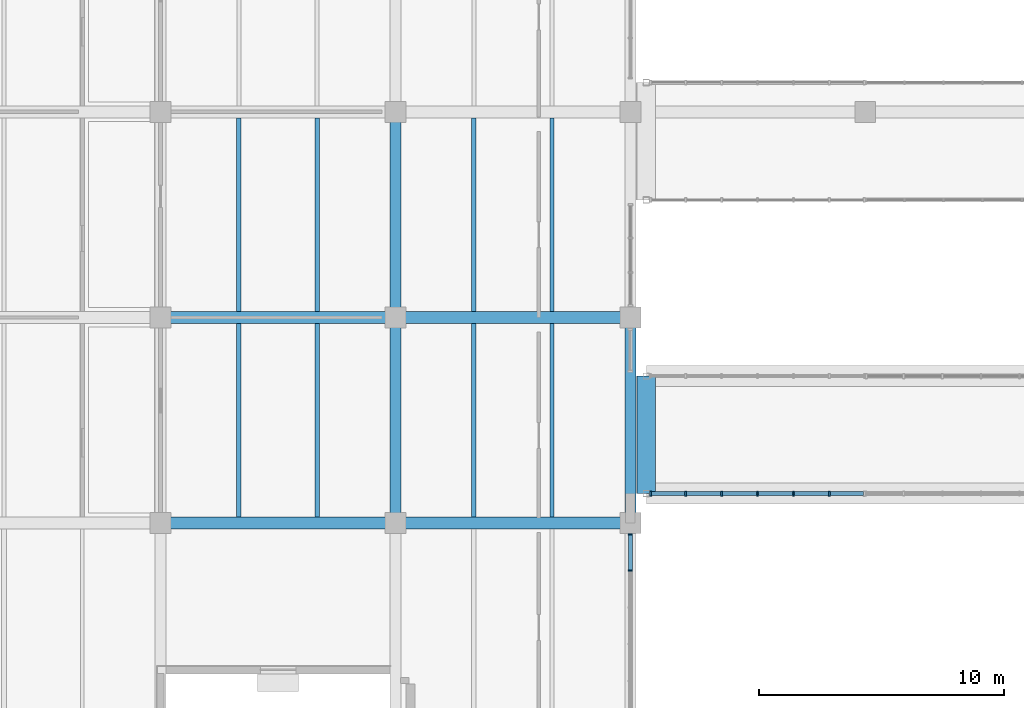
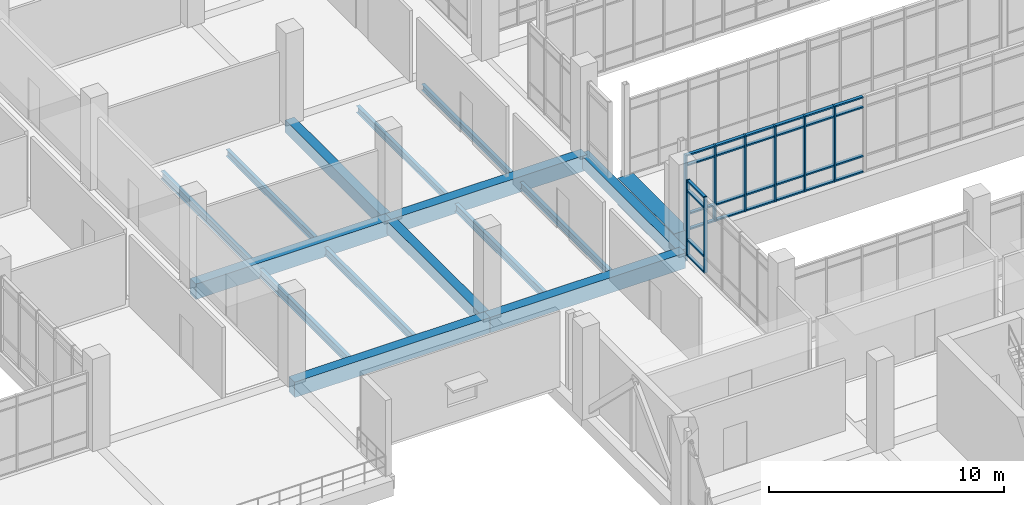
# One storey, part 48 of 152: 36 members, 16 beams, 2 elements without a shape of their own.
"""IFC4 building model written with IfcOpenShell, lengths in metres."""

from ifc_helpers import new_model, si_unit, direction, frame, origin, origin_2d, place, context, subcontext, project, spatial, rectangle, i_section, extrude, material, material_profile, profile_set, type_object, element, aggregate, save


model = new_model("IFC4")

# Units and contexts
model_context = context("Model", 3, precision=1e-05, world=origin(), true_north=direction((0.0, 1.0)))
body_context = subcontext(model_context, "Body", "Model", "MODEL_VIEW")
ifc_project = project(units=[si_unit("LENGTHUNIT", "METRE"), si_unit("AREAUNIT", "SQUARE_METRE"), si_unit("VOLUMEUNIT", "CUBIC_METRE"), si_unit("PLANEANGLEUNIT", "RADIAN"), si_unit("MASSUNIT", "GRAM", prefix="KILO")], contexts=[model_context])

# Site, building, storey
site_placement = place(None, origin())
site = spatial("IfcSite", under=ifc_project, at=site_placement, CompositionType="ELEMENT")
building_placement = place(site_placement, origin())
building = spatial("IfcBuilding", under=site, at=building_placement, Name="Oolite Switchyard Hospital", CompositionType="ELEMENT")
storey_placement = place(building_placement, frame((0.0, 0.0, 5.10009765625)))
storey = spatial("IfcBuildingStorey", under=building, at=storey_placement, Name="L01", CompositionType="ELEMENT", Elevation=5.10009765625)

# Beams
ifc_material_1 = material(Name="Concrete C40/50", Category="concrete")
ifc_material_profile_1 = material_profile(ifc_material_1, rectangle(XDim=0.449951171875, YDim=0.64990234375, at=origin_2d()), Name="RCB450X650")
ifc_profile_set_1 = profile_set([ifc_material_profile_1], Name="Concrete C40/50")
beam_type_1 = type_object("IfcBeamType", Name="BM-RC450X650", PredefinedType="BEAM", material=ifc_profile_set_1)
for number, where, z_axis, x_axis, name in (
    (1, (134.39990234375, 33.60009765625, -0.3251953125), (0.0, 1.0, 0.0), (-1.0, 0.0, 0.0), "L01 Y-Girder 447"),
    (2, (134.39990234375, 42.0, -0.3251953125), (0.0, 1.0, 0.0), (-1.0, 0.0, 0.0), "L01 Y-Girder 448"),
    (3, (144.0, 33.60009765625, -0.3251953125), (0.0, 1.0, 0.0), (-1.0, 0.0, 0.0), "L01 Y-Girder 462"),
):
    element("IfcBeam", number, at=place(storey_placement, frame(where, z_axis=z_axis, x_axis=x_axis)), inside=storey, type_object=beam_type_1, Name=name, PredefinedType="BEAM", context=body_context, shape_type="SweptSolid", body=[
        extrude(rectangle(XDim=0.449951171875, YDim=0.64990234375, at=origin_2d()), origin(), (0.0, 0.0, 1.0), 8.39990234375),
    ])
ifc_material_profile_2 = material_profile(ifc_material_1, rectangle(XDim=0.5, YDim=0.800048828125, at=origin_2d()), Name="RCB500X800")
ifc_profile_set_2 = profile_set([ifc_material_profile_2], Name="Concrete C40/50")
beam_type_2 = type_object("IfcBeamType", Name="BM-RC500X800", PredefinedType="BEAM", material=ifc_profile_set_2)
beam_1_placement = place(storey_placement, frame((124.800048828125, 33.60009765625, -0.400146484375), z_axis=(1.0, 0.0, 0.0), x_axis=(0.0, 1.0, 0.0)))
element("IfcBeam", 4, at=beam_1_placement, inside=storey, type_object=beam_type_2, Name="L01 X-Girder 75", PredefinedType="BEAM", context=body_context, shape_type="SweptSolid", body=[
    extrude(rectangle(XDim=0.5, YDim=0.800048828125, at=origin_2d()), origin(), (0.0, 0.0, 1.0), 9.599853515625),
])
beam_2_placement = place(storey_placement, frame((134.39990234375, 33.60009765625, -0.400146484375), z_axis=(1.0, 0.0, 0.0), x_axis=(0.0, 1.0, 0.0)))
element("IfcBeam", 5, at=beam_2_placement, inside=storey, type_object=beam_type_2, Name="L01 X-Girder 76", PredefinedType="BEAM", context=body_context, shape_type="SweptSolid", body=[
    extrude(rectangle(XDim=0.5, YDim=0.800048828125, at=origin_2d()), origin(), (0.0, 0.0, 1.0), 9.60009765625),
])
beam_3_placement = place(storey_placement, frame((124.800048828125, 42.0, -0.400146484375), z_axis=(1.0, 0.0, 0.0), x_axis=(0.0, 1.0, 0.0)))
element("IfcBeam", 6, at=beam_3_placement, inside=storey, type_object=beam_type_2, Name="L01 X-Girder 91", PredefinedType="BEAM", context=body_context, shape_type="SweptSolid", body=[
    extrude(rectangle(XDim=0.5, YDim=0.800048828125, at=origin_2d()), origin(), (0.0, 0.0, 1.0), 9.599853515625),
])
beam_4_placement = place(storey_placement, frame((134.39990234375, 42.0, -0.400146484375), z_axis=(1.0, 0.0, 0.0), x_axis=(0.0, 1.0, 0.0)))
element("IfcBeam", 7, at=beam_4_placement, inside=storey, type_object=beam_type_2, Name="L01 X-Girder 92", PredefinedType="BEAM", context=body_context, shape_type="SweptSolid", body=[
    extrude(rectangle(XDim=0.5, YDim=0.800048828125, at=origin_2d()), origin(), (0.0, 0.0, 1.0), 9.60009765625),
])
ifc_material_profile_3 = material_profile(ifc_material_1, rectangle(XDim=0.75, YDim=1.39990234375, at=origin_2d()), Name="RCT750X1400")
ifc_profile_set_3 = profile_set([ifc_material_profile_3], Name="Concrete C40/50")
beam_type_3 = type_object("IfcBeamType", Name="BM-TR750X1400", PredefinedType="BEAM", material=ifc_profile_set_3)
beam_5_placement = place(storey_placement, frame((144.64990234375, 34.800048828125, -0.7001953125), z_axis=(0.0, 1.0, 0.0), x_axis=(-1.0, 0.0, 0.0)))
element("IfcBeam", 8, at=beam_5_placement, inside=storey, type_object=beam_type_3, Name="L01 Y-Girder 474", PredefinedType="BEAM", context=body_context, shape_type="SweptSolid", body=[
    extrude(rectangle(XDim=0.75, YDim=1.39990234375, at=origin_2d()), origin(), (0.0, 0.0, 1.0), 4.800048828125),
])
ifc_material_2 = material(Name="Steel ASTM A992 Grade 50", Category="steel")
ifc_material_profile_4 = material_profile(ifc_material_2, i_section(OverallWidth=0.1650390625, OverallDepth=0.31005859375, WebThickness=0.006103515625, FlangeThickness=0.010009765625, at=origin_2d()), Name="W12X26")
ifc_profile_set_4 = profile_set([ifc_material_profile_4], Name="Steel ASTM A992 Grade 50")
beam_type_4 = type_object("IfcBeamType", Name="BM-W12X26", PredefinedType="JOIST", material=ifc_profile_set_4)
beam_6_placement = place(storey_placement, frame((140.800048828125, 42.25, -0.43017578125), z_axis=(0.0, 1.0, 0.0), x_axis=(-1.0, 0.0, 0.0)))
element("IfcBeam", 9, at=beam_6_placement, inside=storey, type_object=beam_type_4, Name="L01 Secondary Steel Joist 831", PredefinedType="JOIST", context=body_context, shape_type="SweptSolid", body=[
    extrude(i_section(OverallWidth=0.1650390625, OverallDepth=0.31005859375, WebThickness=0.006103515625, FlangeThickness=0.010009765625, at=origin_2d()), origin(), (0.0, 0.0, 1.0), 7.89990234375),
])
ifc_material_profile_5 = material_profile(ifc_material_2, i_section(OverallWidth=0.1708984375, OverallDepth=0.35107421875, WebThickness=0.007080078125, FlangeThickness=0.010009765625, at=origin_2d()), Name="W14X30")
ifc_profile_set_5 = profile_set([ifc_material_profile_5], Name="Steel ASTM A992 Grade 50")
beam_type_5 = type_object("IfcBeamType", Name="BM-W14X30", PredefinedType="JOIST", material=ifc_profile_set_5)
for number, where, z_axis, x_axis, name in (
    (10, (131.199951171875, 42.25, -0.47607421875), (0.0, 1.0, 0.0), (-1.0, 0.0, 0.0), "L01 Secondary Steel Joist 809"),
    (11, (140.800048828125, 33.85009765625, -0.4501953125), (0.0, 1.0, 0.0), (-1.0, 0.0, 0.0), "L01 Secondary Steel Joist 829"),
    (12, (137.60009765625, 42.25, -0.4501953125), (0.0, 1.0, 0.0), (-1.0, 0.0, 0.0), "L01 Secondary Steel Joist 830"),
):
    element("IfcBeam", number, at=place(storey_placement, frame(where, z_axis=z_axis, x_axis=x_axis)), inside=storey, type_object=beam_type_5, Name=name, PredefinedType="JOIST", context=body_context, shape_type="SweptSolid", body=[
        extrude(i_section(OverallWidth=0.1708984375, OverallDepth=0.35107421875, WebThickness=0.007080078125, FlangeThickness=0.010009765625, at=origin_2d()), origin(), (0.0, 0.0, 1.0), 7.89990234375),
    ])
ifc_material_profile_6 = material_profile(ifc_material_2, i_section(OverallWidth=0.177978515625, OverallDepth=0.403076171875, WebThickness=0.008056640625, FlangeThickness=0.010986328125, at=origin_2d()), Name="W16X36")
ifc_profile_set_6 = profile_set([ifc_material_profile_6], Name="Steel ASTM A992 Grade 50")
beam_type_6 = type_object("IfcBeamType", Name="BM-W16X36", PredefinedType="JOIST", material=ifc_profile_set_6)
for number, where, z_axis, x_axis, name in (
    (13, (131.199951171875, 33.85009765625, -0.502197265625), (0.0, 1.0, 0.0), (-1.0, 0.0, 0.0), "L01 Secondary Steel Joist 807"),
    (14, (128.0, 42.25, -0.502197265625), (0.0, 1.0, 0.0), (-1.0, 0.0, 0.0), "L01 Secondary Steel Joist 808"),
    (15, (137.60009765625, 33.85009765625, -0.47705078125), (0.0, 1.0, 0.0), (-1.0, 0.0, 0.0), "L01 Secondary Steel Joist 828"),
):
    element("IfcBeam", number, at=place(storey_placement, frame(where, z_axis=z_axis, x_axis=x_axis)), inside=storey, type_object=beam_type_6, Name=name, PredefinedType="JOIST", context=body_context, shape_type="SweptSolid", body=[
        extrude(i_section(OverallWidth=0.177978515625, OverallDepth=0.403076171875, WebThickness=0.008056640625, FlangeThickness=0.010986328125, at=origin_2d()), origin(), (0.0, 0.0, 1.0), 7.89990234375),
    ])
ifc_material_profile_7 = material_profile(ifc_material_2, i_section(OverallWidth=0.179931640625, OverallDepth=0.4130859375, WebThickness=0.010009765625, FlangeThickness=0.01611328125, at=origin_2d()), Name="W16X50")
ifc_profile_set_7 = profile_set([ifc_material_profile_7], Name="Steel ASTM A992 Grade 50")
beam_type_7 = type_object("IfcBeamType", Name="BM-W16X50", PredefinedType="JOIST", material=ifc_profile_set_7)
beam_7_placement = place(storey_placement, frame((128.0, 33.85009765625, -0.506103515625), z_axis=(0.0, 1.0, 0.0), x_axis=(-1.0, 0.0, 0.0)))
element("IfcBeam", 16, at=beam_7_placement, inside=storey, type_object=beam_type_7, Name="L01 Secondary Steel Joist 806", PredefinedType="JOIST", context=body_context, shape_type="SweptSolid", body=[
    extrude(i_section(OverallWidth=0.179931640625, OverallDepth=0.4130859375, WebThickness=0.010009765625, FlangeThickness=0.01611328125, at=origin_2d()), origin(), (0.0, 0.0, 1.0), 7.89990234375),
])

# Curtain wall, members
ifc_material_3 = material(Name="Thermally broken aluminum frame with laminated impact glazing", Category="aluminium")
curtain_wall_type_1 = type_object("IfcCurtainWallType", Name="CW-UNIT-84X48", PredefinedType="USERDEFINED", material=ifc_material_3)
curtain_wall_1_placement = place(storey_placement, origin())
curtain_wall_1 = element("IfcCurtainWall", 17, at=curtain_wall_1_placement, inside=storey, type_object=curtain_wall_type_1, Name="L01 Unitised Curtain Wall 191", ObjectType="UNITISED", PredefinedType="USERDEFINED")
ifc_material_4 = material(Name="Aluminium 6063-T6", Category="aluminium")
ifc_material_profile_8 = material_profile(ifc_material_4, rectangle(XDim=0.159912109375, YDim=0.06005859375, at=origin_2d()), Name="CWM60X160")
ifc_profile_set_8 = profile_set([ifc_material_profile_8], Name="Aluminium 6063-T6")
member_type_1 = type_object("IfcMemberType", Name="CW-MUL-180", PredefinedType="MULLION", material=ifc_profile_set_8)
member_1_placement = place(storey_placement, frame((144.0, 33.1298828125, 0.0), z_axis=(0.0, 0.0, 1.0), x_axis=(1.0, 0.0, 0.0)))
member_1 = element("IfcMember", 18, at=member_1_placement, type_object=member_type_1, Name="CW-07 mullion 1", PredefinedType="MULLION", context=body_context, shape_type="SweptSolid", body=[
    extrude(rectangle(XDim=0.159912109375, YDim=0.06005859375, at=origin_2d()), origin(), (0.0, 0.0, 1.0), 3.93994140625),
])
member_2_placement = place(storey_placement, frame((144.0, 31.656005859375, 0.0), z_axis=(0.0, 0.0, 1.0), x_axis=(1.0, 0.0, 0.0)))
member_2 = element("IfcMember", 19, at=member_2_placement, type_object=member_type_1, Name="CW-07 mullion 2", PredefinedType="MULLION", context=body_context, shape_type="SweptSolid", body=[
    extrude(rectangle(XDim=0.159912109375, YDim=0.06005859375, at=origin_2d()), origin(), (0.0, 0.0, 1.0), 3.93994140625),
])

curtain_wall_type_2 = type_object("IfcCurtainWallType", Name="CW-BRG-96X38", PredefinedType="USERDEFINED", material=ifc_material_3)
curtain_wall_2_placement = place(storey_placement, origin())
curtain_wall_2 = element("IfcCurtainWall", 20, at=curtain_wall_2_placement, inside=storey, type_object=curtain_wall_type_2, Name="L01 Unitised Curtain Wall 115", ObjectType="UNITISED", PredefinedType="USERDEFINED")
ifc_material_profile_9 = material_profile(ifc_material_4, rectangle(XDim=0.199951171875, YDim=0.074951171875, at=origin_2d()), Name="CWM75X200")
ifc_profile_set_9 = profile_set([ifc_material_profile_9], Name="Aluminium 6063-T6")
member_type_2 = type_object("IfcMemberType", Name="CW-MUL-260", PredefinedType="MULLION", material=ifc_profile_set_9)
member_3_placement = place(storey_placement, frame((152.132080078125, 34.800048828125, 0.0), z_axis=(0.0, 0.0, 1.0), x_axis=(0.0, -1.0, 0.0)))
member_3 = element("IfcMember", 21, at=member_3_placement, type_object=member_type_2, Name="CW-12 mullion 2", PredefinedType="MULLION", context=body_context, shape_type="SweptSolid", body=[
    extrude(rectangle(XDim=0.199951171875, YDim=0.074951171875, at=origin_2d()), origin(), (0.0, 0.0, 1.0), 3.93994140625),
])
member_4_placement = place(storey_placement, frame((150.6640625, 34.800048828125, 0.0), z_axis=(0.0, 0.0, 1.0), x_axis=(0.0, -1.0, 0.0)))
member_4 = element("IfcMember", 22, at=member_4_placement, type_object=member_type_2, Name="CW-12 mullion 3", PredefinedType="MULLION", context=body_context, shape_type="SweptSolid", body=[
    extrude(rectangle(XDim=0.199951171875, YDim=0.074951171875, at=origin_2d()), origin(), (0.0, 0.0, 1.0), 3.93994140625),
])
member_5_placement = place(storey_placement, frame((149.196044921875, 34.800048828125, 0.0), z_axis=(0.0, 0.0, 1.0), x_axis=(0.0, -1.0, 0.0)))
member_5 = element("IfcMember", 23, at=member_5_placement, type_object=member_type_2, Name="CW-12 mullion 4", PredefinedType="MULLION", context=body_context, shape_type="SweptSolid", body=[
    extrude(rectangle(XDim=0.199951171875, YDim=0.074951171875, at=origin_2d()), origin(), (0.0, 0.0, 1.0), 3.93994140625),
])
member_6_placement = place(storey_placement, frame((147.72802734375, 34.800048828125, 0.0), z_axis=(0.0, 0.0, 1.0), x_axis=(0.0, -1.0, 0.0)))
member_6 = element("IfcMember", 24, at=member_6_placement, type_object=member_type_2, Name="CW-12 mullion 5", PredefinedType="MULLION", context=body_context, shape_type="SweptSolid", body=[
    extrude(rectangle(XDim=0.199951171875, YDim=0.074951171875, at=origin_2d()), origin(), (0.0, 0.0, 1.0), 3.93994140625),
])
member_7_placement = place(storey_placement, frame((146.260009765625, 34.800048828125, 0.0), z_axis=(0.0, 0.0, 1.0), x_axis=(0.0, -1.0, 0.0)))
member_7 = element("IfcMember", 25, at=member_7_placement, type_object=member_type_2, Name="CW-12 mullion 6", PredefinedType="MULLION", context=body_context, shape_type="SweptSolid", body=[
    extrude(rectangle(XDim=0.199951171875, YDim=0.074951171875, at=origin_2d()), origin(), (0.0, 0.0, 1.0), 3.93994140625),
])
member_8_placement = place(storey_placement, frame((144.82958984375, 34.800048828125, 0.0), z_axis=(0.0, 0.0, 1.0), x_axis=(0.0, -1.0, 0.0)))
member_8 = element("IfcMember", 26, at=member_8_placement, type_object=member_type_2, Name="CW-12 mullion 7", PredefinedType="MULLION", context=body_context, shape_type="SweptSolid", body=[
    extrude(rectangle(XDim=0.199951171875, YDim=0.074951171875, at=origin_2d()), origin(), (0.0, 0.0, 1.0), 3.93994140625),
])
ifc_material_profile_10 = material_profile(ifc_material_4, rectangle(XDim=0.159912109375, YDim=0.074951171875, at=origin_2d()), Name="CWT75X160")
ifc_profile_set_10 = profile_set([ifc_material_profile_10], Name="Aluminium 6063-T6")
member_type_3 = type_object("IfcMemberType", Name="CW-TRN-180", PredefinedType="USERDEFINED", material=ifc_profile_set_10)
member_9_placement = place(storey_placement, frame((153.52490234375, 34.800048828125, 0.037353515625), z_axis=(-1.0, 0.0, 0.0), x_axis=(0.0, -1.0, 0.0)))
member_9 = element("IfcMember", 27, at=member_9_placement, type_object=member_type_3, Name="CW-12 transom 1.1", ObjectType="TRANSOM", PredefinedType="USERDEFINED", context=body_context, shape_type="SweptSolid", body=[
    extrude(rectangle(XDim=0.159912109375, YDim=0.074951171875, at=origin_2d()), origin(), (0.0, 0.0, 1.0), 1.35546875),
])
member_10_placement = place(storey_placement, frame((153.52490234375, 34.800048828125, 0.849853515625), z_axis=(-1.0, 0.0, 0.0), x_axis=(0.0, -1.0, 0.0)))
member_10 = element("IfcMember", 28, at=member_10_placement, type_object=member_type_3, Name="CW-12 transom 1.2", ObjectType="TRANSOM", PredefinedType="USERDEFINED", context=body_context, shape_type="SweptSolid", body=[
    extrude(rectangle(XDim=0.159912109375, YDim=0.074951171875, at=origin_2d()), origin(), (0.0, 0.0, 1.0), 1.35546875),
])
member_11_placement = place(storey_placement, frame((153.52490234375, 34.800048828125, 3.389892578125), z_axis=(-1.0, 0.0, 0.0), x_axis=(0.0, -1.0, 0.0)))
member_11 = element("IfcMember", 29, at=member_11_placement, type_object=member_type_3, Name="CW-12 transom 1.3", ObjectType="TRANSOM", PredefinedType="USERDEFINED", context=body_context, shape_type="SweptSolid", body=[
    extrude(rectangle(XDim=0.159912109375, YDim=0.074951171875, at=origin_2d()), origin(), (0.0, 0.0, 1.0), 1.35546875),
])
member_12_placement = place(storey_placement, frame((153.52490234375, 34.800048828125, 3.90234375), z_axis=(-1.0, 0.0, 0.0), x_axis=(0.0, -1.0, 0.0)))
member_12 = element("IfcMember", 30, at=member_12_placement, type_object=member_type_3, Name="CW-12 transom 1.4", ObjectType="TRANSOM", PredefinedType="USERDEFINED", context=body_context, shape_type="SweptSolid", body=[
    extrude(rectangle(XDim=0.159912109375, YDim=0.074951171875, at=origin_2d()), origin(), (0.0, 0.0, 1.0), 1.35546875),
])
member_13_placement = place(storey_placement, frame((152.094482421875, 34.800048828125, 0.037353515625), z_axis=(-1.0, 0.0, 0.0), x_axis=(0.0, -1.0, 0.0)))
member_13 = element("IfcMember", 31, at=member_13_placement, type_object=member_type_3, Name="CW-12 transom 2.1", ObjectType="TRANSOM", PredefinedType="USERDEFINED", context=body_context, shape_type="SweptSolid", body=[
    extrude(rectangle(XDim=0.159912109375, YDim=0.074951171875, at=origin_2d()), origin(), (0.0, 0.0, 1.0), 1.39306640625),
])
member_14_placement = place(storey_placement, frame((152.094482421875, 34.800048828125, 0.849853515625), z_axis=(-1.0, 0.0, 0.0), x_axis=(0.0, -1.0, 0.0)))
member_14 = element("IfcMember", 32, at=member_14_placement, type_object=member_type_3, Name="CW-12 transom 2.2", ObjectType="TRANSOM", PredefinedType="USERDEFINED", context=body_context, shape_type="SweptSolid", body=[
    extrude(rectangle(XDim=0.159912109375, YDim=0.074951171875, at=origin_2d()), origin(), (0.0, 0.0, 1.0), 1.39306640625),
])
member_15_placement = place(storey_placement, frame((152.094482421875, 34.800048828125, 3.389892578125), z_axis=(-1.0, 0.0, 0.0), x_axis=(0.0, -1.0, 0.0)))
member_15 = element("IfcMember", 33, at=member_15_placement, type_object=member_type_3, Name="CW-12 transom 2.3", ObjectType="TRANSOM", PredefinedType="USERDEFINED", context=body_context, shape_type="SweptSolid", body=[
    extrude(rectangle(XDim=0.159912109375, YDim=0.074951171875, at=origin_2d()), origin(), (0.0, 0.0, 1.0), 1.39306640625),
])
member_16_placement = place(storey_placement, frame((152.094482421875, 34.800048828125, 3.90234375), z_axis=(-1.0, 0.0, 0.0), x_axis=(0.0, -1.0, 0.0)))
member_16 = element("IfcMember", 34, at=member_16_placement, type_object=member_type_3, Name="CW-12 transom 2.4", ObjectType="TRANSOM", PredefinedType="USERDEFINED", context=body_context, shape_type="SweptSolid", body=[
    extrude(rectangle(XDim=0.159912109375, YDim=0.074951171875, at=origin_2d()), origin(), (0.0, 0.0, 1.0), 1.39306640625),
])
member_17_placement = place(storey_placement, frame((150.62646484375, 34.800048828125, 0.037353515625), z_axis=(-1.0, 0.0, 0.0), x_axis=(0.0, -1.0, 0.0)))
member_17 = element("IfcMember", 35, at=member_17_placement, type_object=member_type_3, Name="CW-12 transom 3.1", ObjectType="TRANSOM", PredefinedType="USERDEFINED", context=body_context, shape_type="SweptSolid", body=[
    extrude(rectangle(XDim=0.159912109375, YDim=0.074951171875, at=origin_2d()), origin(), (0.0, 0.0, 1.0), 1.39306640625),
])
member_18_placement = place(storey_placement, frame((150.62646484375, 34.800048828125, 0.849853515625), z_axis=(-1.0, 0.0, 0.0), x_axis=(0.0, -1.0, 0.0)))
member_18 = element("IfcMember", 36, at=member_18_placement, type_object=member_type_3, Name="CW-12 transom 3.2", ObjectType="TRANSOM", PredefinedType="USERDEFINED", context=body_context, shape_type="SweptSolid", body=[
    extrude(rectangle(XDim=0.159912109375, YDim=0.074951171875, at=origin_2d()), origin(), (0.0, 0.0, 1.0), 1.39306640625),
])
member_19_placement = place(storey_placement, frame((150.62646484375, 34.800048828125, 3.389892578125), z_axis=(-1.0, 0.0, 0.0), x_axis=(0.0, -1.0, 0.0)))
member_19 = element("IfcMember", 37, at=member_19_placement, type_object=member_type_3, Name="CW-12 transom 3.3", ObjectType="TRANSOM", PredefinedType="USERDEFINED", context=body_context, shape_type="SweptSolid", body=[
    extrude(rectangle(XDim=0.159912109375, YDim=0.074951171875, at=origin_2d()), origin(), (0.0, 0.0, 1.0), 1.39306640625),
])
member_20_placement = place(storey_placement, frame((150.62646484375, 34.800048828125, 3.90234375), z_axis=(-1.0, 0.0, 0.0), x_axis=(0.0, -1.0, 0.0)))
member_20 = element("IfcMember", 38, at=member_20_placement, type_object=member_type_3, Name="CW-12 transom 3.4", ObjectType="TRANSOM", PredefinedType="USERDEFINED", context=body_context, shape_type="SweptSolid", body=[
    extrude(rectangle(XDim=0.159912109375, YDim=0.074951171875, at=origin_2d()), origin(), (0.0, 0.0, 1.0), 1.39306640625),
])
member_21_placement = place(storey_placement, frame((149.158447265625, 34.800048828125, 0.037353515625), z_axis=(-1.0, 0.0, 0.0), x_axis=(0.0, -1.0, 0.0)))
member_21 = element("IfcMember", 39, at=member_21_placement, type_object=member_type_3, Name="CW-12 transom 4.1", ObjectType="TRANSOM", PredefinedType="USERDEFINED", context=body_context, shape_type="SweptSolid", body=[
    extrude(rectangle(XDim=0.159912109375, YDim=0.074951171875, at=origin_2d()), origin(), (0.0, 0.0, 1.0), 1.39306640625),
])
member_22_placement = place(storey_placement, frame((149.158447265625, 34.800048828125, 0.849853515625), z_axis=(-1.0, 0.0, 0.0), x_axis=(0.0, -1.0, 0.0)))
member_22 = element("IfcMember", 40, at=member_22_placement, type_object=member_type_3, Name="CW-12 transom 4.2", ObjectType="TRANSOM", PredefinedType="USERDEFINED", context=body_context, shape_type="SweptSolid", body=[
    extrude(rectangle(XDim=0.159912109375, YDim=0.074951171875, at=origin_2d()), origin(), (0.0, 0.0, 1.0), 1.39306640625),
])
member_23_placement = place(storey_placement, frame((149.158447265625, 34.800048828125, 3.389892578125), z_axis=(-1.0, 0.0, 0.0), x_axis=(0.0, -1.0, 0.0)))
member_23 = element("IfcMember", 41, at=member_23_placement, type_object=member_type_3, Name="CW-12 transom 4.3", ObjectType="TRANSOM", PredefinedType="USERDEFINED", context=body_context, shape_type="SweptSolid", body=[
    extrude(rectangle(XDim=0.159912109375, YDim=0.074951171875, at=origin_2d()), origin(), (0.0, 0.0, 1.0), 1.39306640625),
])
member_24_placement = place(storey_placement, frame((149.158447265625, 34.800048828125, 3.90234375), z_axis=(-1.0, 0.0, 0.0), x_axis=(0.0, -1.0, 0.0)))
member_24 = element("IfcMember", 42, at=member_24_placement, type_object=member_type_3, Name="CW-12 transom 4.4", ObjectType="TRANSOM", PredefinedType="USERDEFINED", context=body_context, shape_type="SweptSolid", body=[
    extrude(rectangle(XDim=0.159912109375, YDim=0.074951171875, at=origin_2d()), origin(), (0.0, 0.0, 1.0), 1.39306640625),
])
member_25_placement = place(storey_placement, frame((147.6904296875, 34.800048828125, 0.037353515625), z_axis=(-1.0, 0.0, 0.0), x_axis=(0.0, -1.0, 0.0)))
member_25 = element("IfcMember", 43, at=member_25_placement, type_object=member_type_3, Name="CW-12 transom 5.1", ObjectType="TRANSOM", PredefinedType="USERDEFINED", context=body_context, shape_type="SweptSolid", body=[
    extrude(rectangle(XDim=0.159912109375, YDim=0.074951171875, at=origin_2d()), origin(), (0.0, 0.0, 1.0), 1.392822265625),
])
member_26_placement = place(storey_placement, frame((147.6904296875, 34.800048828125, 0.849853515625), z_axis=(-1.0, 0.0, 0.0), x_axis=(0.0, -1.0, 0.0)))
member_26 = element("IfcMember", 44, at=member_26_placement, type_object=member_type_3, Name="CW-12 transom 5.2", ObjectType="TRANSOM", PredefinedType="USERDEFINED", context=body_context, shape_type="SweptSolid", body=[
    extrude(rectangle(XDim=0.159912109375, YDim=0.074951171875, at=origin_2d()), origin(), (0.0, 0.0, 1.0), 1.392822265625),
])
member_27_placement = place(storey_placement, frame((147.6904296875, 34.800048828125, 3.389892578125), z_axis=(-1.0, 0.0, 0.0), x_axis=(0.0, -1.0, 0.0)))
member_27 = element("IfcMember", 45, at=member_27_placement, type_object=member_type_3, Name="CW-12 transom 5.3", ObjectType="TRANSOM", PredefinedType="USERDEFINED", context=body_context, shape_type="SweptSolid", body=[
    extrude(rectangle(XDim=0.159912109375, YDim=0.074951171875, at=origin_2d()), origin(), (0.0, 0.0, 1.0), 1.392822265625),
])
member_28_placement = place(storey_placement, frame((147.6904296875, 34.800048828125, 3.90234375), z_axis=(-1.0, 0.0, 0.0), x_axis=(0.0, -1.0, 0.0)))
member_28 = element("IfcMember", 46, at=member_28_placement, type_object=member_type_3, Name="CW-12 transom 5.4", ObjectType="TRANSOM", PredefinedType="USERDEFINED", context=body_context, shape_type="SweptSolid", body=[
    extrude(rectangle(XDim=0.159912109375, YDim=0.074951171875, at=origin_2d()), origin(), (0.0, 0.0, 1.0), 1.392822265625),
])
member_29_placement = place(storey_placement, frame((146.222412109375, 34.800048828125, 0.037353515625), z_axis=(-1.0, 0.0, 0.0), x_axis=(0.0, -1.0, 0.0)))
member_29 = element("IfcMember", 47, at=member_29_placement, type_object=member_type_3, Name="CW-12 transom 6.1", ObjectType="TRANSOM", PredefinedType="USERDEFINED", context=body_context, shape_type="SweptSolid", body=[
    extrude(rectangle(XDim=0.159912109375, YDim=0.074951171875, at=origin_2d()), origin(), (0.0, 0.0, 1.0), 1.35546875),
])
member_30_placement = place(storey_placement, frame((146.222412109375, 34.800048828125, 0.849853515625), z_axis=(-1.0, 0.0, 0.0), x_axis=(0.0, -1.0, 0.0)))
member_30 = element("IfcMember", 48, at=member_30_placement, type_object=member_type_3, Name="CW-12 transom 6.2", ObjectType="TRANSOM", PredefinedType="USERDEFINED", context=body_context, shape_type="SweptSolid", body=[
    extrude(rectangle(XDim=0.159912109375, YDim=0.074951171875, at=origin_2d()), origin(), (0.0, 0.0, 1.0), 1.35546875),
])
member_31_placement = place(storey_placement, frame((146.222412109375, 34.800048828125, 3.389892578125), z_axis=(-1.0, 0.0, 0.0), x_axis=(0.0, -1.0, 0.0)))
member_31 = element("IfcMember", 49, at=member_31_placement, type_object=member_type_3, Name="CW-12 transom 6.3", ObjectType="TRANSOM", PredefinedType="USERDEFINED", context=body_context, shape_type="SweptSolid", body=[
    extrude(rectangle(XDim=0.159912109375, YDim=0.074951171875, at=origin_2d()), origin(), (0.0, 0.0, 1.0), 1.35546875),
])
member_32_placement = place(storey_placement, frame((146.222412109375, 34.800048828125, 3.90234375), z_axis=(-1.0, 0.0, 0.0), x_axis=(0.0, -1.0, 0.0)))
member_32 = element("IfcMember", 50, at=member_32_placement, type_object=member_type_3, Name="CW-12 transom 6.4", ObjectType="TRANSOM", PredefinedType="USERDEFINED", context=body_context, shape_type="SweptSolid", body=[
    extrude(rectangle(XDim=0.159912109375, YDim=0.074951171875, at=origin_2d()), origin(), (0.0, 0.0, 1.0), 1.35546875),
])
aggregate(curtain_wall_2, [member_3, member_4, member_5, member_6, member_7, member_8, member_9, member_10, member_11, member_12, member_13, member_14, member_15, member_16, member_17, member_18, member_19, member_20, member_21, member_22, member_23, member_24, member_25, member_26, member_27, member_28, member_29, member_30, member_31, member_32])

# Member
member_33_placement = place(storey_placement, frame((144.0, 33.10009765625, 0.037353515625), z_axis=(0.0, -1.0, 0.0), x_axis=(1.0, 0.0, 0.0)))
member_33 = element("IfcMember", 51, at=member_33_placement, type_object=member_type_3, Name="CW-07 transom 1.1", ObjectType="TRANSOM", PredefinedType="USERDEFINED", context=body_context, shape_type="SweptSolid", body=[
    extrude(rectangle(XDim=0.159912109375, YDim=0.074951171875, at=origin_2d()), origin(), (0.0, 0.0, 1.0), 1.4140625),
])

member_34_placement = place(storey_placement, frame((144.0, 33.10009765625, 0.849853515625), z_axis=(0.0, -1.0, 0.0), x_axis=(1.0, 0.0, 0.0)))
member_34 = element("IfcMember", 52, at=member_34_placement, type_object=member_type_3, Name="CW-07 transom 1.2", ObjectType="TRANSOM", PredefinedType="USERDEFINED", context=body_context, shape_type="SweptSolid", body=[
    extrude(rectangle(XDim=0.159912109375, YDim=0.074951171875, at=origin_2d()), origin(), (0.0, 0.0, 1.0), 1.4140625),
])

member_35_placement = place(storey_placement, frame((144.0, 33.10009765625, 3.389892578125), z_axis=(0.0, -1.0, 0.0), x_axis=(1.0, 0.0, 0.0)))
member_35 = element("IfcMember", 53, at=member_35_placement, type_object=member_type_3, Name="CW-07 transom 1.3", ObjectType="TRANSOM", PredefinedType="USERDEFINED", context=body_context, shape_type="SweptSolid", body=[
    extrude(rectangle(XDim=0.159912109375, YDim=0.074951171875, at=origin_2d()), origin(), (0.0, 0.0, 1.0), 1.4140625),
])

member_36_placement = place(storey_placement, frame((144.0, 33.10009765625, 3.90234375), z_axis=(0.0, -1.0, 0.0), x_axis=(1.0, 0.0, 0.0)))
member_36 = element("IfcMember", 54, at=member_36_placement, type_object=member_type_3, Name="CW-07 transom 1.4", ObjectType="TRANSOM", PredefinedType="USERDEFINED", context=body_context, shape_type="SweptSolid", body=[
    extrude(rectangle(XDim=0.159912109375, YDim=0.074951171875, at=origin_2d()), origin(), (0.0, 0.0, 1.0), 1.4140625),
])

aggregate(curtain_wall_1, [member_1, member_2, member_33, member_34, member_35, member_36])

save(model, "model.ifc")
